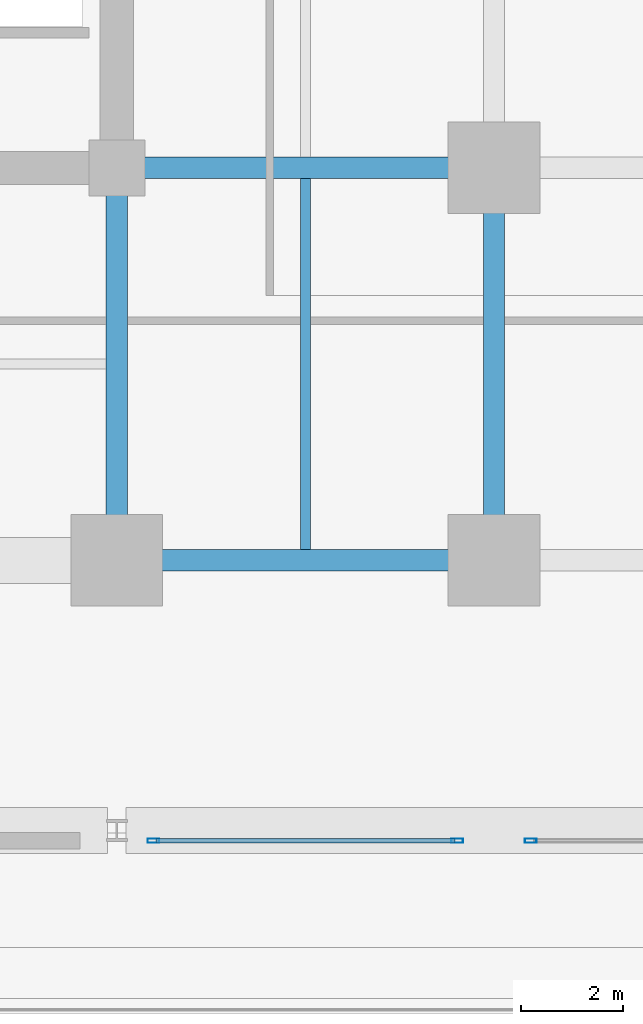
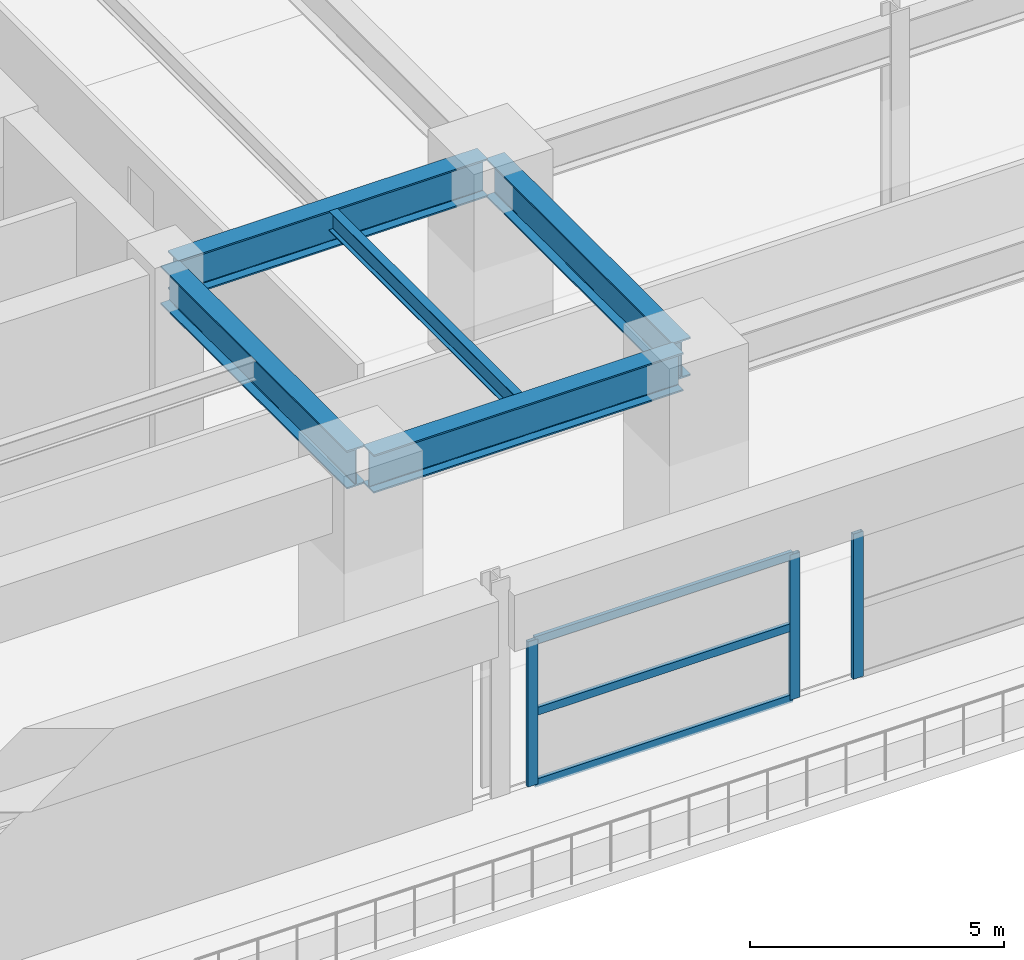
# One storey, part 11 of 43: 6 members, 5 beams, 2 elements without a shape of their own.
"""IFC4 building model written with IfcOpenShell, lengths in metres."""

from ifc_helpers import new_model, si_unit, direction, frame, origin, origin_2d, place, context, subcontext, project, spatial, hollow_rectangle, i_section, extrude, material, material_profile, profile_set, type_object, element, aggregate, save


model = new_model("IFC4")

# Units and contexts
model_context = context("Model", 3, precision=1e-05, world=origin(), true_north=direction((0.0, 1.0)))
body_context = subcontext(model_context, "Body", "Model", "MODEL_VIEW")
ifc_project = project(units=[si_unit("LENGTHUNIT", "METRE"), si_unit("AREAUNIT", "SQUARE_METRE"), si_unit("VOLUMEUNIT", "CUBIC_METRE"), si_unit("PLANEANGLEUNIT", "RADIAN"), si_unit("MASSUNIT", "GRAM", prefix="KILO")], contexts=[model_context])

# Site, building, storey
site_placement = place(None, origin())
site = spatial("IfcSite", under=ifc_project, at=site_placement, CompositionType="ELEMENT")
building_placement = place(site_placement, origin())
building = spatial("IfcBuilding", under=site, at=building_placement, Name="Kovane Verandah Tower", CompositionType="ELEMENT")
storey_placement = place(building_placement, frame((0.0, 0.0, 11.199951171875)))
storey = spatial("IfcBuildingStorey", under=building, at=storey_placement, Name="L02", CompositionType="ELEMENT", Elevation=11.199951171875)

# Beams
ifc_material_1 = material(Name="Steel S460", Category="steel")
ifc_material_profile_1 = material_profile(ifc_material_1, i_section(OverallWidth=0.42041015625, OverallDepth=0.9208984375, WebThickness=0.021484375, FlangeThickness=0.03662109375, FilletRadius=0.024169921875, at=origin_2d()), Name="UB914x419x388")
ifc_profile_set_1 = profile_set([ifc_material_profile_1], Name="Steel S460")
beam_type_1 = type_object("IfcBeamType", Name="BM-UB914x388", PredefinedType="BEAM", material=ifc_profile_set_1)
beam_1_placement = place(storey_placement, frame((51.179931640625, 10.800048828125, 4.45947265625), z_axis=(1.0, 0.0, 0.0), x_axis=(0.0, 1.0, 0.0)))
element("IfcBeam", 1, at=beam_1_placement, inside=storey, type_object=beam_type_1, Name="L02 Primary Tower Girder G-RS3", PredefinedType="BEAM", context=body_context, shape_type="SweptSolid", body=[
    extrude(i_section(OverallWidth=0.42041015625, OverallDepth=0.9208984375, WebThickness=0.021484375, FlangeThickness=0.03662109375, FilletRadius=0.024169921875, at=origin_2d()), origin(), (0.0, 0.0, 1.0), 7.0400390625),
])
beam_2_placement = place(storey_placement, frame((58.39990234375, 10.97998046875, 4.45947265625), z_axis=(0.0, 1.0, 0.0), x_axis=(-1.0, 0.0, 0.0)))
element("IfcBeam", 2, at=beam_2_placement, inside=storey, type_object=beam_type_1, Name="L02 Primary Tower Girder G-RE1", PredefinedType="BEAM", context=body_context, shape_type="SweptSolid", body=[
    extrude(i_section(OverallWidth=0.42041015625, OverallDepth=0.9208984375, WebThickness=0.021484375, FlangeThickness=0.03662109375, FilletRadius=0.024169921875, at=origin_2d()), origin(), (0.0, 0.0, 1.0), 7.340087890625),
])
beam_3_placement = place(storey_placement, frame((51.179931640625, 18.5, 4.45947265625), z_axis=(1.0, 0.0, 0.0), x_axis=(0.0, 1.0, 0.0)))
element("IfcBeam", 3, at=beam_3_placement, inside=storey, type_object=beam_type_1, Name="L02 Primary Tower Girder G-E1", PredefinedType="BEAM", context=body_context, shape_type="SweptSolid", body=[
    extrude(i_section(OverallWidth=0.42041015625, OverallDepth=0.9208984375, WebThickness=0.021484375, FlangeThickness=0.03662109375, FilletRadius=0.024169921875, at=origin_2d()), origin(), (0.0, 0.0, 1.0), 7.0400390625),
])
beam_4_placement = place(storey_placement, frame((51.0, 18.320068359375, 4.45947265625), z_axis=(0.0, -1.0, 0.0), x_axis=(1.0, 0.0, 0.0)))
element("IfcBeam", 4, at=beam_4_placement, inside=storey, type_object=beam_type_1, Name="L02 Primary Tower Girder G-S2", PredefinedType="BEAM", context=body_context, shape_type="SweptSolid", body=[
    extrude(i_section(OverallWidth=0.42041015625, OverallDepth=0.9208984375, WebThickness=0.021484375, FlangeThickness=0.03662109375, FilletRadius=0.024169921875, at=origin_2d()), origin(), (0.0, 0.0, 1.0), 7.340087890625),
])

# Curtain wall, members
ifc_material_2 = material(Name="Champagne Anodised Aluminium Frame with Low-E Clear Laminated Glass", Category="aluminium")
curtain_wall_type = type_object("IfcCurtainWallType", Name="CW-SYS-01-POD", PredefinedType="NOTDEFINED", material=ifc_material_2)
curtain_wall_1_placement = place(storey_placement, origin())
curtain_wall_1 = element("IfcCurtainWall", 5, at=curtain_wall_1_placement, inside=storey, type_object=curtain_wall_type, Name="L02 South Podium Curtain Wall Bay 5.1", PredefinedType="NOTDEFINED")
ifc_material_3 = material(Name="Champagne Anodised Aluminium 6063-T6", Category="aluminium")
ifc_material_profile_2 = material_profile(ifc_material_3, hollow_rectangle(XDim=0.0849609375, YDim=0.22998046875, WallThickness=0.00390625, at=origin_2d()), Name="AL85x230x4")
ifc_profile_set_2 = profile_set([ifc_material_profile_2], Name="Champagne Anodised Aluminium 6063-T6")
member_type_1 = type_object("IfcMemberType", Name="CW-MUL-85x230", PredefinedType="MULLION", material=ifc_profile_set_2)
member_1_placement = place(storey_placement, frame((51.719970703125, 5.300048828125, 0.02001953125), z_axis=(0.0, 0.0, 1.0), x_axis=(0.0, -1.0, 0.0)))
member_1 = element("IfcMember", 6, at=member_1_placement, type_object=member_type_1, Name="L02 South Podium Curtain Wall Bay 5.1 Mullion 1", PredefinedType="MULLION", context=body_context, shape_type="SweptSolid", body=[
    extrude(hollow_rectangle(XDim=0.0849609375, YDim=0.22998046875, WallThickness=0.00390625, at=origin_2d()), origin(), (0.0, 0.0, 1.0), 3.489990234375),
])
member_2_placement = place(storey_placement, frame((57.679931640625, 5.300048828125, 0.02001953125), z_axis=(0.0, 0.0, 1.0), x_axis=(0.0, -1.0, 0.0)))
member_2 = element("IfcMember", 7, at=member_2_placement, type_object=member_type_1, Name="L02 South Podium Curtain Wall Bay 5.1 Mullion 2", PredefinedType="MULLION", context=body_context, shape_type="SweptSolid", body=[
    extrude(hollow_rectangle(XDim=0.0849609375, YDim=0.22998046875, WallThickness=0.00390625, at=origin_2d()), origin(), (0.0, 0.0, 1.0), 3.489990234375),
])

# Curtain wall, member
curtain_wall_2_placement = place(storey_placement, origin())
curtain_wall_2 = element("IfcCurtainWall", 8, at=curtain_wall_2_placement, inside=storey, type_object=curtain_wall_type, Name="L02 South Podium Curtain Wall Bay 6.1", PredefinedType="NOTDEFINED")
member_3_placement = place(storey_placement, frame((59.1201171875, 5.300048828125, 0.02001953125), z_axis=(0.0, 0.0, 1.0), x_axis=(0.0, -1.0, 0.0)))
member_3 = element("IfcMember", 9, at=member_3_placement, type_object=member_type_1, Name="L02 South Podium Curtain Wall Bay 6.1 Mullion 1", PredefinedType="MULLION", context=body_context, shape_type="SweptSolid", body=[
    extrude(hollow_rectangle(XDim=0.0849609375, YDim=0.22998046875, WallThickness=0.00390625, at=origin_2d()), origin(), (0.0, 0.0, 1.0), 3.489990234375),
])
aggregate(curtain_wall_2, [member_3])

# Member
ifc_material_profile_3 = material_profile(ifc_material_3, hollow_rectangle(XDim=0.0849609375, YDim=0.18994140625, WallThickness=0.00390625, at=origin_2d()), Name="AL85x190x4")
ifc_profile_set_3 = profile_set([ifc_material_profile_3], Name="Champagne Anodised Aluminium 6063-T6")
member_type_2 = type_object("IfcMemberType", Name="CW-TRN-85x190", PredefinedType="USERDEFINED", material=ifc_profile_set_3)
member_4_placement = place(storey_placement, frame((51.77001953125, 5.300048828125, 0.050048828125), z_axis=(1.0, 0.0, 0.0), x_axis=(0.0, 1.0, 0.0)))
member_4 = element("IfcMember", 10, at=member_4_placement, type_object=member_type_2, Name="L02 South Podium Curtain Wall Bay 5.1 Transom TB Bay 1", ObjectType="TRANSOM", PredefinedType="USERDEFINED", context=body_context, shape_type="SweptSolid", body=[
    extrude(hollow_rectangle(XDim=0.0849609375, YDim=0.18994140625, WallThickness=0.00390625, at=origin_2d()), origin(), (0.0, 0.0, 1.0), 5.85986328125),
])

member_5_placement = place(storey_placement, frame((51.77001953125, 5.300048828125, 1.76513671875), z_axis=(1.0, 0.0, 0.0), x_axis=(0.0, 1.0, 0.0)))
member_5 = element("IfcMember", 11, at=member_5_placement, type_object=member_type_2, Name="L02 South Podium Curtain Wall Bay 5.1 Transom TM Bay 1", ObjectType="TRANSOM", PredefinedType="USERDEFINED", context=body_context, shape_type="SweptSolid", body=[
    extrude(hollow_rectangle(XDim=0.0849609375, YDim=0.18994140625, WallThickness=0.00390625, at=origin_2d()), origin(), (0.0, 0.0, 1.0), 5.85986328125),
])

member_6_placement = place(storey_placement, frame((51.77001953125, 5.300048828125, 3.47998046875), z_axis=(1.0, 0.0, 0.0), x_axis=(0.0, 1.0, 0.0)))
member_6 = element("IfcMember", 12, at=member_6_placement, type_object=member_type_2, Name="L02 South Podium Curtain Wall Bay 5.1 Transom TT Bay 1", ObjectType="TRANSOM", PredefinedType="USERDEFINED", context=body_context, shape_type="SweptSolid", body=[
    extrude(hollow_rectangle(XDim=0.0849609375, YDim=0.18994140625, WallThickness=0.00390625, at=origin_2d()), origin(), (0.0, 0.0, 1.0), 5.85986328125),
])

aggregate(curtain_wall_1, [member_1, member_2, member_4, member_5, member_6])

# Beam
ifc_material_4 = material(Name="Steel S355", Category="steel")
ifc_material_profile_4 = material_profile(ifc_material_4, i_section(OverallWidth=0.19287109375, OverallDepth=0.46728515625, WebThickness=0.011474609375, FlangeThickness=0.01953125, FilletRadius=0.01025390625, at=origin_2d()), Name="UB457x191x98")
ifc_profile_set_4 = profile_set([ifc_material_profile_4], Name="Steel S355")
beam_type_2 = type_object("IfcBeamType", Name="JST-UB457x98", PredefinedType="JOIST", material=ifc_profile_set_4)
beam_5_placement = place(storey_placement, frame((54.699951171875, 11.00830078125, 4.6865234375), z_axis=(0.0, 1.0, 0.0), x_axis=(-1.0, 0.0, 0.0)))
element("IfcBeam", 13, at=beam_5_placement, inside=storey, type_object=beam_type_2, Name="L02 Secondary Composite Joist J-SE1", PredefinedType="JOIST", context=body_context, shape_type="SweptSolid", body=[
    extrude(i_section(OverallWidth=0.19287109375, OverallDepth=0.46728515625, WebThickness=0.011474609375, FlangeThickness=0.01953125, FilletRadius=0.01025390625, at=origin_2d()), origin(), (0.0, 0.0, 1.0), 7.283447265625),
])

save(model, "model.ifc")
